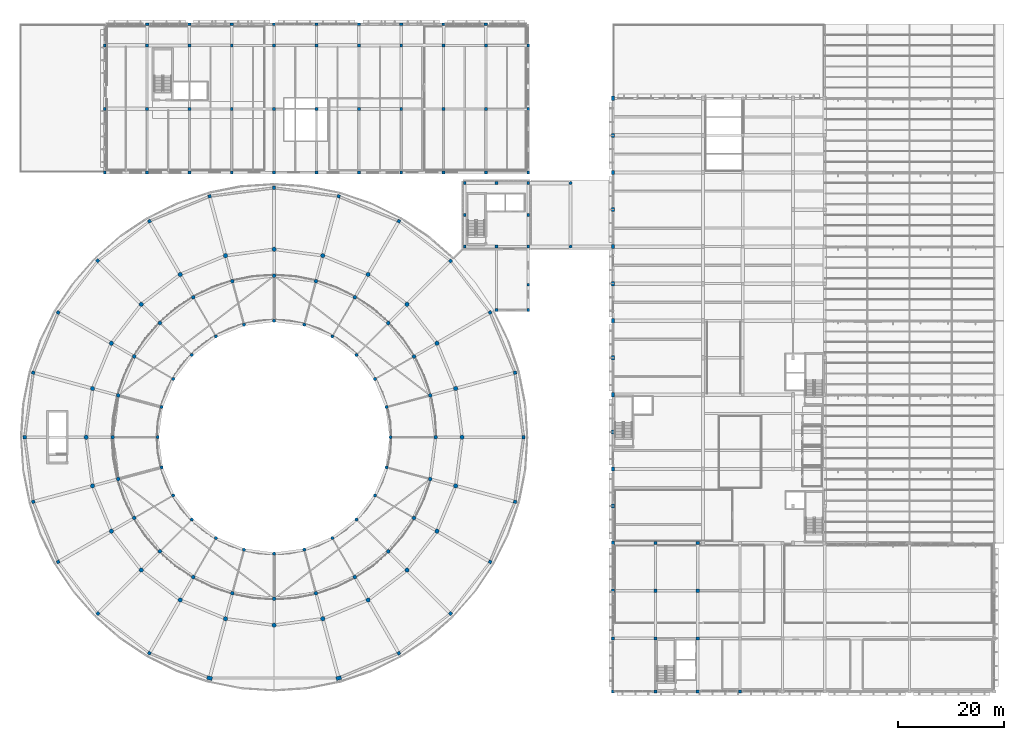
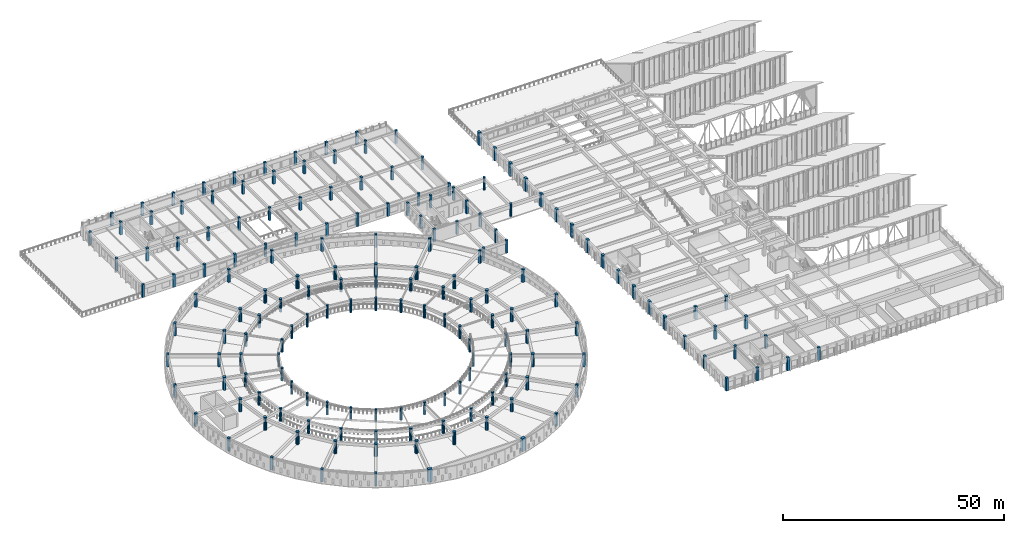
# One storey, part 1 of 155: 175 columns.
"""IFC4 building model written with IfcOpenShell, lengths in metres."""

from ifc_helpers import new_model, si_unit, direction, frame, origin, origin_2d, place, context, subcontext, project, spatial, rectangle, circle, extrude, material, material_profile, profile_set, type_object, element, save


model = new_model("IFC4")

# Units and contexts
model_context = context("Model", 3, precision=1e-05, world=origin(), true_north=direction((0.0, 1.0)))
body_context = subcontext(model_context, "Body", "Model", "MODEL_VIEW")
ifc_project = project(units=[si_unit("LENGTHUNIT", "METRE"), si_unit("AREAUNIT", "SQUARE_METRE"), si_unit("VOLUMEUNIT", "CUBIC_METRE"), si_unit("PLANEANGLEUNIT", "RADIAN"), si_unit("MASSUNIT", "GRAM", prefix="KILO")], contexts=[model_context])

# Site, building, storey
site_placement = place(None, origin())
site = spatial("IfcSite", under=ifc_project, at=site_placement, CompositionType="ELEMENT")
building_placement = place(site_placement, origin())
building = spatial("IfcBuilding", under=site, at=building_placement, Name="Larkveld Mobility Hub", CompositionType="ELEMENT")
storey_placement = place(building_placement, frame((0.0, 0.0, 8.39990234375)))
storey = spatial("IfcBuildingStorey", under=building, at=storey_placement, Name="L02", CompositionType="ELEMENT", Elevation=8.39990234375)

# Columns
ifc_material_1 = material(Name="Precast concrete C50/60", Category="concrete")
ifc_material_profile_1 = material_profile(ifc_material_1, rectangle(XDim=0.60009765625, YDim=0.800048828125, at=origin_2d()), Name="RC COL 600x800")
ifc_profile_set_1 = profile_set([ifc_material_profile_1], Name="Precast concrete C50/60")
column_type_1 = type_object("IfcColumnType", Name="CL-PC6080", PredefinedType="COLUMN", material=ifc_profile_set_1)
for number, where, z_axis, x_axis, name in (
    (1, (112.0, 28.0, 0.0), (0.0, 0.0, 1.0), (1.0, 0.0, 0.0), "Column EV-X112-Y28 (L02)"),
    (2, (112.0, 35.0, 0.0), (0.0, 0.0, 1.0), (1.0, 0.0, 0.0), "Column EV-X112-Y35 (L02)"),
    (3, (112.0, 42.0, 0.0), (0.0, 0.0, 1.0), (1.0, 0.0, 0.0), "Column EV-X112-Y42 (L02)"),
    (4, (112.0, 49.0, 0.0), (0.0, 0.0, 1.0), (1.0, 0.0, 0.0), "Column EV-X112-Y49 (L02)"),
    (5, (112.0, 56.0, 0.0), (0.0, 0.0, 1.0), (1.0, 0.0, 0.0), "Column EV-X112-Y56 (L02)"),
    (6, (112.0, 63.0, 0.0), (0.0, 0.0, 1.0), (1.0, 0.0, 0.0), "Column EV-X112-Y63 (L02)"),
    (7, (112.0, 70.0, 0.0), (0.0, 0.0, 1.0), (1.0, 0.0, 0.0), "Column EV-X112-Y70 (L02)"),
    (8, (112.0, 77.0, 0.0), (0.0, 0.0, 1.0), (1.0, 0.0, 0.0), "Column EV-X112-Y77 (L02)"),
    (9, (112.0, 84.0, 0.0), (0.0, 0.0, 1.0), (1.0, 0.0, 0.0), "Column EV-X112-Y84 (L02)"),
    (10, (112.0, 91.0, 0.0), (0.0, 0.0, 1.0), (1.0, 0.0, 0.0), "Column EV-X112-Y91 (L02)"),
    (11, (112.0, 98.0, 0.0), (0.0, 0.0, 1.0), (1.0, 0.0, 0.0), "Column EV-X112-Y98 (L02)"),
    (12, (112.0, 105.0, 0.0), (0.0, 0.0, 1.0), (1.0, 0.0, 0.0), "Column EV-X112-Y105 (L02)"),
    (13, (112.0, 112.0, 0.0), (0.0, 0.0, 1.0), (1.0, 0.0, 0.0), "Column EV-X112-Y112 (L02)"),
):
    element("IfcColumn", number, at=place(storey_placement, frame(where, z_axis=z_axis, x_axis=x_axis)), inside=storey, type_object=column_type_1, Name=name, PredefinedType="COLUMN", context=body_context, shape_type="SweptSolid", body=[
        extrude(rectangle(XDim=0.60009765625, YDim=0.800048828125, at=origin_2d()), origin(), (0.0, 0.0, 1.0), 3.60009765625),
    ])
ifc_material_profile_2 = material_profile(ifc_material_1, rectangle(XDim=0.449951171875, YDim=0.64990234375, at=origin_2d()), Name="PC PIL 450x650")
ifc_profile_set_2 = profile_set([ifc_material_profile_2], Name="Precast concrete C50/60")
column_type_2 = type_object("IfcColumnType", Name="CL-PIL4565", PredefinedType="PILASTER", material=ifc_profile_set_2)
for number, where, z_axis, x_axis, name in (
    (14, (24.0, 126.0, 0.0), (0.0, 0.0, 1.0), (0.0, 1.0, 0.0), "Column V5-PIL-X24 (L02)"),
    (15, (32.0, 126.0, 0.0), (0.0, 0.0, 1.0), (0.0, 1.0, 0.0), "Column V5-PIL-X32 (L02)"),
    (16, (40.0, 126.0, 0.0), (0.0, 0.0, 1.0), (0.0, 1.0, 0.0), "Column V5-PIL-X40 (L02)"),
    (17, (48.0, 126.0, 0.0), (0.0, 0.0, 1.0), (0.0, 1.0, 0.0), "Column V5-PIL-X48 (L02)"),
    (18, (56.0, 126.0, 0.0), (0.0, 0.0, 1.0), (0.0, 1.0, 0.0), "Column V5-PIL-X56 (L02)"),
    (19, (64.0, 126.0, 0.0), (0.0, 0.0, 1.0), (0.0, 1.0, 0.0), "Column V5-PIL-X64 (L02)"),
    (20, (72.0, 126.0, 0.0), (0.0, 0.0, 1.0), (0.0, 1.0, 0.0), "Column V5-PIL-X72 (L02)"),
    (21, (80.0, 126.0, 0.0), (0.0, 0.0, 1.0), (0.0, 1.0, 0.0), "Column V5-PIL-X80 (L02)"),
    (22, (88.0, 126.0, 0.0), (0.0, 0.0, 1.0), (0.0, 1.0, 0.0), "Column V5-PIL-X88 (L02)"),
):
    element("IfcColumn", number, at=place(storey_placement, frame(where, z_axis=z_axis, x_axis=x_axis)), inside=storey, type_object=column_type_2, Name=name, PredefinedType="PILASTER", context=body_context, shape_type="SweptSolid", body=[
        extrude(rectangle(XDim=0.449951171875, YDim=0.64990234375, at=origin_2d()), origin(), (0.0, 0.0, 1.0), 3.60009765625),
    ])
ifc_material_profile_3 = material_profile(ifc_material_1, rectangle(XDim=0.699951171875, YDim=1.0, at=origin_2d()), Name="PC PIL 700x1000")
ifc_profile_set_3 = profile_set([ifc_material_profile_3], Name="Precast concrete C50/60")
column_type_3 = type_object("IfcColumnType", Name="CL-PIL7010", PredefinedType="PILASTER", material=ifc_profile_set_3)
for number, where, z_axis, x_axis, name in (
    (23, (35.81005859375, 2.5048828125, 0.0), (0.0, 0.0, 1.0), (0.258819045103, 0.965925826289, 0.0), "Column DRM-R47-K34 (L02)"),
    (24, (60.18994140625, 2.5048828125, 0.0), (0.0, 0.0, 1.0), (-0.258819045103, 0.965925826289, 0.0), "Column DRM-R47-K38 (L02)"),
):
    element("IfcColumn", number, at=place(storey_placement, frame(where, z_axis=z_axis, x_axis=x_axis)), inside=storey, type_object=column_type_3, Name=name, PredefinedType="PILASTER", context=body_context, shape_type="SweptSolid", body=[
        extrude(rectangle(XDim=0.699951171875, YDim=1.0, at=origin_2d()), origin(), (0.0, 0.0, 1.0), 3.60009765625),
    ])
ifc_material_2 = material(Name="Concrete C40/50", Category="concrete")
ifc_material_profile_4 = material_profile(ifc_material_2, rectangle(XDim=0.550048828125, YDim=0.550048828125, at=origin_2d()), Name="RC COL 550x550")
ifc_profile_set_4 = profile_set([ifc_material_profile_4], Name="Concrete C40/50")
column_type_4 = type_object("IfcColumnType", Name="CL-RC550", PredefinedType="COLUMN", material=ifc_profile_set_4)
for number, where, z_axis, x_axis, name in (
    (25, (84.0, 84.0, 0.0), (0.0, 0.0, 1.0), (1.0, 0.0, 0.0), "Column PAV-X84-Y84 (L02)"),
    (26, (84.0, 90.0, 0.0), (0.0, 0.0, 1.0), (1.0, 0.0, 0.0), "Column PAV-X84-Y90 (L02)"),
    (27, (84.0, 96.0, 0.0), (0.0, 0.0, 1.0), (1.0, 0.0, 0.0), "Column PAV-X84-Y96 (L02)"),
    (28, (90.0, 84.0, 0.0), (0.0, 0.0, 1.0), (1.0, 0.0, 0.0), "Column PAV-X90-Y84 (L02)"),
    (29, (90.0, 96.0, 0.0), (0.0, 0.0, 1.0), (1.0, 0.0, 0.0), "Column PAV-X90-Y96 (L02)"),
    (30, (96.0, 84.0, 0.0), (0.0, 0.0, 1.0), (1.0, 0.0, 0.0), "Column PAV-X96-Y84 (L02)"),
    (31, (96.0, 90.0, 0.0), (0.0, 0.0, 1.0), (1.0, 0.0, 0.0), "Column PAV-X96-Y90 (L02)"),
    (32, (96.0, 96.0, 0.0), (0.0, 0.0, 1.0), (1.0, 0.0, 0.0), "Column PAV-X96-Y96 (L02)"),
    (33, (16.0, 98.0, 0.0), (0.0, 0.0, 1.0), (1.0, 0.0, 0.0), "Column V5-X16-Y98 (L02)"),
    (34, (16.0, 110.0, 0.0), (0.0, 0.0, 1.0), (1.0, 0.0, 0.0), "Column V5-X16-Y110 (L02)"),
    (35, (16.0, 122.0, 0.0), (0.0, 0.0, 1.0), (1.0, 0.0, 0.0), "Column V5-X16-Y122 (L02)"),
    (36, (24.0, 98.0, 0.0), (0.0, 0.0, 1.0), (1.0, 0.0, 0.0), "Column V5-X24-Y98 (L02)"),
    (37, (24.0, 110.0, 0.0), (0.0, 0.0, 1.0), (1.0, 0.0, 0.0), "Column V5-X24-Y110 (L02)"),
    (38, (24.0, 122.0, 0.0), (0.0, 0.0, 1.0), (1.0, 0.0, 0.0), "Column V5-X24-Y122 (L02)"),
    (39, (32.0, 98.0, 0.0), (0.0, 0.0, 1.0), (1.0, 0.0, 0.0), "Column V5-X32-Y98 (L02)"),
    (40, (32.0, 110.0, 0.0), (0.0, 0.0, 1.0), (1.0, 0.0, 0.0), "Column V5-X32-Y110 (L02)"),
    (41, (32.0, 122.0, 0.0), (0.0, 0.0, 1.0), (1.0, 0.0, 0.0), "Column V5-X32-Y122 (L02)"),
    (42, (40.0, 98.0, 0.0), (0.0, 0.0, 1.0), (1.0, 0.0, 0.0), "Column V5-X40-Y98 (L02)"),
    (43, (40.0, 110.0, 0.0), (0.0, 0.0, 1.0), (1.0, 0.0, 0.0), "Column V5-X40-Y110 (L02)"),
    (44, (40.0, 122.0, 0.0), (0.0, 0.0, 1.0), (1.0, 0.0, 0.0), "Column V5-X40-Y122 (L02)"),
    (45, (48.0, 98.0, 0.0), (0.0, 0.0, 1.0), (1.0, 0.0, 0.0), "Column V5-X48-Y98 (L02)"),
    (46, (48.0, 110.0, 0.0), (0.0, 0.0, 1.0), (1.0, 0.0, 0.0), "Column V5-X48-Y110 (L02)"),
    (47, (48.0, 122.0, 0.0), (0.0, 0.0, 1.0), (1.0, 0.0, 0.0), "Column V5-X48-Y122 (L02)"),
    (48, (56.0, 98.0, 0.0), (0.0, 0.0, 1.0), (1.0, 0.0, 0.0), "Column V5-X56-Y98 (L02)"),
    (49, (56.0, 110.0, 0.0), (0.0, 0.0, 1.0), (1.0, 0.0, 0.0), "Column V5-X56-Y110 (L02)"),
    (50, (56.0, 122.0, 0.0), (0.0, 0.0, 1.0), (1.0, 0.0, 0.0), "Column V5-X56-Y122 (L02)"),
    (51, (64.0, 98.0, 0.0), (0.0, 0.0, 1.0), (1.0, 0.0, 0.0), "Column V5-X64-Y98 (L02)"),
    (52, (64.0, 110.0, 0.0), (0.0, 0.0, 1.0), (1.0, 0.0, 0.0), "Column V5-X64-Y110 (L02)"),
    (53, (64.0, 122.0, 0.0), (0.0, 0.0, 1.0), (1.0, 0.0, 0.0), "Column V5-X64-Y122 (L02)"),
    (54, (72.0, 98.0, 0.0), (0.0, 0.0, 1.0), (1.0, 0.0, 0.0), "Column V5-X72-Y98 (L02)"),
    (55, (72.0, 110.0, 0.0), (0.0, 0.0, 1.0), (1.0, 0.0, 0.0), "Column V5-X72-Y110 (L02)"),
    (56, (72.0, 122.0, 0.0), (0.0, 0.0, 1.0), (1.0, 0.0, 0.0), "Column V5-X72-Y122 (L02)"),
    (57, (80.0, 98.0, 0.0), (0.0, 0.0, 1.0), (1.0, 0.0, 0.0), "Column V5-X80-Y98 (L02)"),
    (58, (80.0, 110.0, 0.0), (0.0, 0.0, 1.0), (1.0, 0.0, 0.0), "Column V5-X80-Y110 (L02)"),
    (59, (80.0, 122.0, 0.0), (0.0, 0.0, 1.0), (1.0, 0.0, 0.0), "Column V5-X80-Y122 (L02)"),
    (60, (88.0, 98.0, 0.0), (0.0, 0.0, 1.0), (1.0, 0.0, 0.0), "Column V5-X88-Y98 (L02)"),
    (61, (88.0, 110.0, 0.0), (0.0, 0.0, 1.0), (1.0, 0.0, 0.0), "Column V5-X88-Y110 (L02)"),
    (62, (88.0, 122.0, 0.0), (0.0, 0.0, 1.0), (1.0, 0.0, 0.0), "Column V5-X88-Y122 (L02)"),
    (63, (96.0, 98.0, 0.0), (0.0, 0.0, 1.0), (1.0, 0.0, 0.0), "Column V5-X96-Y98 (L02)"),
    (64, (96.0, 110.0, 0.0), (0.0, 0.0, 1.0), (1.0, 0.0, 0.0), "Column V5-X96-Y110 (L02)"),
    (65, (96.0, 122.0, 0.0), (0.0, 0.0, 1.0), (1.0, 0.0, 0.0), "Column V5-X96-Y122 (L02)"),
    (66, (90.0, 72.0, 0.0), (0.0, 0.0, 1.0), (1.0, 0.0, 0.0), "Column DLNK-X90-Y72 (L02)"),
    (67, (96.0, 72.0, 0.0), (0.0, 0.0, 1.0), (1.0, 0.0, 0.0), "Column DLNK-X96-Y72 (L02)"),
    (68, (96.0, 76.800048828125, 0.0), (0.0, 0.0, 1.0), (1.0, 0.0, 0.0), "Column DLNK-X96-Y77 (L02)"),
):
    element("IfcColumn", number, at=place(storey_placement, frame(where, z_axis=z_axis, x_axis=x_axis)), inside=storey, type_object=column_type_4, Name=name, PredefinedType="COLUMN", context=body_context, shape_type="SweptSolid", body=[
        extrude(rectangle(XDim=0.550048828125, YDim=0.550048828125, at=origin_2d()), origin(), (0.0, 0.0, 1.0), 3.60009765625),
    ])
ifc_material_profile_5 = material_profile(ifc_material_2, rectangle(XDim=0.60009765625, YDim=0.60009765625, at=origin_2d()), Name="RC COL 600x600")
ifc_profile_set_5 = profile_set([ifc_material_profile_5], Name="Concrete C40/50")
column_type_5 = type_object("IfcColumnType", Name="CL-RC600", PredefinedType="COLUMN", material=ifc_profile_set_5)
for number, where, z_axis, x_axis, name in (
    (69, (95.10009765625, 48.0, 0.0), (0.0, 0.0, 1.0), (1.0, 0.0, 0.0), "Column DRM-R47-K00 (L02)"),
    (70, (93.4951171875, 60.18994140625, 0.0), (0.0, 0.0, 1.0), (0.965925826289, 0.258819045103, 0.0), "Column DRM-R47-K02 (L02)"),
    (71, (88.7900390625, 71.550048828125, 0.0), (0.0, 0.0, 1.0), (0.866025403784, 0.5, 0.0), "Column DRM-R47-K04 (L02)"),
    (72, (81.304931640625, 81.304931640625, 0.0), (0.0, 0.0, 1.0), (0.707106781187, 0.707106781187, 0.0), "Column DRM-R47-K06 (L02)"),
    (73, (71.550048828125, 88.7900390625, 0.0), (0.0, 0.0, 1.0), (0.5, 0.866025403784, 0.0), "Column DRM-R47-K08 (L02)"),
    (74, (60.18994140625, 93.4951171875, 0.0), (0.0, 0.0, 1.0), (0.258819045103, 0.965925826289, 0.0), "Column DRM-R47-K10 (L02)"),
    (75, (48.0, 95.10009765625, 0.0), (0.0, 0.0, 1.0), (0.0, 1.0, 0.0), "Column DRM-R47-K12 (L02)"),
    (76, (35.81005859375, 93.4951171875, 0.0), (0.0, 0.0, 1.0), (-0.258819045103, 0.965925826289, 0.0), "Column DRM-R47-K14 (L02)"),
    (77, (24.449951171875, 88.7900390625, 0.0), (0.0, 0.0, 1.0), (-0.5, 0.866025403784, 0.0), "Column DRM-R47-K16 (L02)"),
    (78, (14.695068359375, 81.304931640625, 0.0), (0.0, 0.0, 1.0), (-0.707106781187, 0.707106781187, 0.0), "Column DRM-R47-K18 (L02)"),
    (79, (7.2099609375, 71.550048828125, 0.0), (0.0, 0.0, 1.0), (-0.866025403784, 0.5, 0.0), "Column DRM-R47-K20 (L02)"),
    (80, (2.5048828125, 60.18994140625, 0.0), (0.0, 0.0, 1.0), (-0.965925826289, 0.258819045103, 0.0), "Column DRM-R47-K22 (L02)"),
    (81, (0.89990234375, 48.0, 0.0), (0.0, 0.0, 1.0), (1.0, 0.0, 0.0), "Column DRM-R47-K24 (L02)"),
    (82, (2.5048828125, 35.81005859375, 0.0), (0.0, 0.0, 1.0), (0.965925826289, 0.258819045103, 0.0), "Column DRM-R47-K26 (L02)"),
    (83, (7.2099609375, 24.449951171875, 0.0), (0.0, 0.0, 1.0), (0.866025403784, 0.5, 0.0), "Column DRM-R47-K28 (L02)"),
    (84, (14.695068359375, 14.695068359375, 0.0), (0.0, 0.0, 1.0), (0.707106781187, 0.707106781187, 0.0), "Column DRM-R47-K30 (L02)"),
    (85, (24.449951171875, 7.2099609375, 0.0), (0.0, 0.0, 1.0), (0.5, 0.866025403784, 0.0), "Column DRM-R47-K32 (L02)"),
    (86, (71.550048828125, 7.2099609375, 0.0), (0.0, 0.0, 1.0), (-0.5, 0.866025403784, 0.0), "Column DRM-R47-K40 (L02)"),
    (87, (81.304931640625, 14.695068359375, 0.0), (0.0, 0.0, 1.0), (-0.707106781187, 0.707106781187, 0.0), "Column DRM-R47-K42 (L02)"),
    (88, (88.7900390625, 24.449951171875, 0.0), (0.0, 0.0, 1.0), (-0.866025403784, 0.5, 0.0), "Column DRM-R47-K44 (L02)"),
    (89, (93.4951171875, 35.81005859375, 0.0), (0.0, 0.0, 1.0), (-0.965925826289, 0.258819045103, 0.0), "Column DRM-R47-K46 (L02)"),
    (90, (112.0, 0.0, 0.0), (0.0, 0.0, 1.0), (1.0, 0.0, 0.0), "Column V6-X112-Y0 (L02)"),
    (91, (112.0, 10.0, 0.0), (0.0, 0.0, 1.0), (1.0, 0.0, 0.0), "Column V6-X112-Y10 (L02)"),
    (92, (112.0, 19.0, 0.0), (0.0, 0.0, 1.0), (1.0, 0.0, 0.0), "Column V6-X112-Y19 (L02)"),
    (93, (120.0, 0.0, 0.0), (0.0, 0.0, 1.0), (1.0, 0.0, 0.0), "Column V6-X120-Y0 (L02)"),
    (94, (120.0, 10.0, 0.0), (0.0, 0.0, 1.0), (1.0, 0.0, 0.0), "Column V6-X120-Y10 (L02)"),
    (95, (120.0, 19.0, 0.0), (0.0, 0.0, 1.0), (1.0, 0.0, 0.0), "Column V6-X120-Y19 (L02)"),
    (96, (120.0, 28.0, 0.0), (0.0, 0.0, 1.0), (1.0, 0.0, 0.0), "Column V6-X120-Y28 (L02)"),
    (97, (128.0, 0.0, 0.0), (0.0, 0.0, 1.0), (1.0, 0.0, 0.0), "Column V6-X128-Y0 (L02)"),
    (98, (128.0, 10.0, 0.0), (0.0, 0.0, 1.0), (1.0, 0.0, 0.0), "Column V6-X128-Y10 (L02)"),
    (99, (128.0, 19.0, 0.0), (0.0, 0.0, 1.0), (1.0, 0.0, 0.0), "Column V6-X128-Y19 (L02)"),
    (100, (128.0, 28.0, 0.0), (0.0, 0.0, 1.0), (1.0, 0.0, 0.0), "Column V6-X128-Y28 (L02)"),
    (101, (136.0, 0.0, 0.0), (0.0, 0.0, 1.0), (1.0, 0.0, 0.0), "Column V6-X136-Y0 (L02)"),
):
    element("IfcColumn", number, at=place(storey_placement, frame(where, z_axis=z_axis, x_axis=x_axis)), inside=storey, type_object=column_type_5, Name=name, PredefinedType="COLUMN", context=body_context, shape_type="SweptSolid", body=[
        extrude(rectangle(XDim=0.60009765625, YDim=0.60009765625, at=origin_2d()), origin(), (0.0, 0.0, 1.0), 3.60009765625),
    ])
ifc_material_profile_6 = material_profile(ifc_material_2, circle(Radius=0.300048828125, at=origin_2d()), Name="RC COL D600")
ifc_profile_set_6 = profile_set([ifc_material_profile_6], Name="Concrete C40/50")
column_type_6 = type_object("IfcColumnType", Name="CL-RCD600", PredefinedType="COLUMN", material=ifc_profile_set_6)
for number, where, z_axis, x_axis, name in (
    (102, (70.0, 48.0, 0.0), (0.0, 0.0, 1.0), (1.0, 0.0, 0.0), "Column DRM-R22-K00 (L02)"),
    (103, (69.25, 53.694091796875, 0.0), (0.0, 0.0, 1.0), (1.0, 0.0, 0.0), "Column DRM-R22-K02 (L02)"),
    (104, (67.052978515625, 59.0, 0.0), (0.0, 0.0, 1.0), (1.0, 0.0, 0.0), "Column DRM-R22-K04 (L02)"),
    (105, (63.555908203125, 63.555908203125, 0.0), (0.0, 0.0, 1.0), (1.0, 0.0, 0.0), "Column DRM-R22-K06 (L02)"),
    (106, (59.0, 67.052978515625, 0.0), (0.0, 0.0, 1.0), (1.0, 0.0, 0.0), "Column DRM-R22-K08 (L02)"),
    (107, (53.694091796875, 69.25, 0.0), (0.0, 0.0, 1.0), (1.0, 0.0, 0.0), "Column DRM-R22-K10 (L02)"),
    (108, (48.0, 70.0, 0.0), (0.0, 0.0, 1.0), (1.0, 0.0, 0.0), "Column DRM-R22-K12 (L02)"),
    (109, (42.305908203125, 69.25, 0.0), (0.0, 0.0, 1.0), (1.0, 0.0, 0.0), "Column DRM-R22-K14 (L02)"),
    (110, (37.0, 67.052978515625, 0.0), (0.0, 0.0, 1.0), (1.0, 0.0, 0.0), "Column DRM-R22-K16 (L02)"),
    (111, (32.444091796875, 63.555908203125, 0.0), (0.0, 0.0, 1.0), (1.0, 0.0, 0.0), "Column DRM-R22-K18 (L02)"),
    (112, (28.947021484375, 59.0, 0.0), (0.0, 0.0, 1.0), (1.0, 0.0, 0.0), "Column DRM-R22-K20 (L02)"),
    (113, (26.75, 53.694091796875, 0.0), (0.0, 0.0, 1.0), (1.0, 0.0, 0.0), "Column DRM-R22-K22 (L02)"),
    (114, (26.0, 48.0, 0.0), (0.0, 0.0, 1.0), (1.0, 0.0, 0.0), "Column DRM-R22-K24 (L02)"),
    (115, (26.75, 42.305908203125, 0.0), (0.0, 0.0, 1.0), (1.0, 0.0, 0.0), "Column DRM-R22-K26 (L02)"),
    (116, (28.947021484375, 37.0, 0.0), (0.0, 0.0, 1.0), (1.0, 0.0, 0.0), "Column DRM-R22-K28 (L02)"),
    (117, (32.444091796875, 32.444091796875, 0.0), (0.0, 0.0, 1.0), (1.0, 0.0, 0.0), "Column DRM-R22-K30 (L02)"),
    (118, (37.0, 28.947021484375, 0.0), (0.0, 0.0, 1.0), (1.0, 0.0, 0.0), "Column DRM-R22-K32 (L02)"),
    (119, (42.305908203125, 26.75, 0.0), (0.0, 0.0, 1.0), (1.0, 0.0, 0.0), "Column DRM-R22-K34 (L02)"),
    (120, (48.0, 26.0, 0.0), (0.0, 0.0, 1.0), (1.0, 0.0, 0.0), "Column DRM-R22-K36 (L02)"),
    (121, (53.694091796875, 26.75, 0.0), (0.0, 0.0, 1.0), (1.0, 0.0, 0.0), "Column DRM-R22-K38 (L02)"),
    (122, (59.0, 28.947021484375, 0.0), (0.0, 0.0, 1.0), (1.0, 0.0, 0.0), "Column DRM-R22-K40 (L02)"),
    (123, (63.555908203125, 32.444091796875, 0.0), (0.0, 0.0, 1.0), (1.0, 0.0, 0.0), "Column DRM-R22-K42 (L02)"),
    (124, (67.052978515625, 37.0, 0.0), (0.0, 0.0, 1.0), (1.0, 0.0, 0.0), "Column DRM-R22-K44 (L02)"),
    (125, (69.25, 42.305908203125, 0.0), (0.0, 0.0, 1.0), (1.0, 0.0, 0.0), "Column DRM-R22-K46 (L02)"),
    (126, (104.0, 84.0, 0.0), (0.0, 0.0, 1.0), (1.0, 0.0, 0.0), "Column BRG-X104-Y84 (L02)"),
    (127, (104.0, 96.0, 0.0), (0.0, 0.0, 1.0), (1.0, 0.0, 0.0), "Column BRG-X104-Y96 (L02)"),
):
    element("IfcColumn", number, at=place(storey_placement, frame(where, z_axis=z_axis, x_axis=x_axis)), inside=storey, type_object=column_type_6, Name=name, PredefinedType="COLUMN", context=body_context, shape_type="SweptSolid", body=[
        extrude(circle(Radius=0.300048828125, at=origin_2d()), origin(), (0.0, 0.0, 1.0), 3.60009765625),
    ])
ifc_material_profile_7 = material_profile(ifc_material_2, circle(Radius=0.35009765625, at=origin_2d()), Name="RC COL D700")
ifc_profile_set_7 = profile_set([ifc_material_profile_7], Name="Concrete C40/50")
column_type_7 = type_object("IfcColumnType", Name="CL-RCD700", PredefinedType="COLUMN", material=ifc_profile_set_7)
for number, where, z_axis, x_axis, name in (
    (128, (78.5, 48.0, 0.0), (0.0, 0.0, 1.0), (1.0, 0.0, 0.0), "Column DRM-R30-K00 (L02)"),
    (129, (77.4609375, 55.89404296875, 0.0), (0.0, 0.0, 1.0), (1.0, 0.0, 0.0), "Column DRM-R30-K02 (L02)"),
    (130, (74.4140625, 63.25, 0.0), (0.0, 0.0, 1.0), (1.0, 0.0, 0.0), "Column DRM-R30-K04 (L02)"),
    (131, (69.56689453125, 69.56689453125, 0.0), (0.0, 0.0, 1.0), (1.0, 0.0, 0.0), "Column DRM-R30-K06 (L02)"),
    (132, (63.25, 74.4140625, 0.0), (0.0, 0.0, 1.0), (1.0, 0.0, 0.0), "Column DRM-R30-K08 (L02)"),
    (133, (55.89404296875, 77.4609375, 0.0), (0.0, 0.0, 1.0), (1.0, 0.0, 0.0), "Column DRM-R30-K10 (L02)"),
    (134, (48.0, 78.5, 0.0), (0.0, 0.0, 1.0), (1.0, 0.0, 0.0), "Column DRM-R30-K12 (L02)"),
    (135, (40.10595703125, 77.4609375, 0.0), (0.0, 0.0, 1.0), (1.0, 0.0, 0.0), "Column DRM-R30-K14 (L02)"),
    (136, (32.75, 74.4140625, 0.0), (0.0, 0.0, 1.0), (1.0, 0.0, 0.0), "Column DRM-R30-K16 (L02)"),
    (137, (26.43310546875, 69.56689453125, 0.0), (0.0, 0.0, 1.0), (1.0, 0.0, 0.0), "Column DRM-R30-K18 (L02)"),
    (138, (21.5859375, 63.25, 0.0), (0.0, 0.0, 1.0), (1.0, 0.0, 0.0), "Column DRM-R30-K20 (L02)"),
    (139, (18.5390625, 55.89404296875, 0.0), (0.0, 0.0, 1.0), (1.0, 0.0, 0.0), "Column DRM-R30-K22 (L02)"),
    (140, (17.5, 48.0, 0.0), (0.0, 0.0, 1.0), (1.0, 0.0, 0.0), "Column DRM-R30-K24 (L02)"),
    (141, (18.5390625, 40.10595703125, 0.0), (0.0, 0.0, 1.0), (1.0, 0.0, 0.0), "Column DRM-R30-K26 (L02)"),
    (142, (21.5859375, 32.75, 0.0), (0.0, 0.0, 1.0), (1.0, 0.0, 0.0), "Column DRM-R30-K28 (L02)"),
    (143, (26.43310546875, 26.43310546875, 0.0), (0.0, 0.0, 1.0), (1.0, 0.0, 0.0), "Column DRM-R30-K30 (L02)"),
    (144, (32.75, 21.5859375, 0.0), (0.0, 0.0, 1.0), (1.0, 0.0, 0.0), "Column DRM-R30-K32 (L02)"),
    (145, (40.10595703125, 18.5390625, 0.0), (0.0, 0.0, 1.0), (1.0, 0.0, 0.0), "Column DRM-R30-K34 (L02)"),
    (146, (48.0, 17.5, 0.0), (0.0, 0.0, 1.0), (1.0, 0.0, 0.0), "Column DRM-R30-K36 (L02)"),
    (147, (55.89404296875, 18.5390625, 0.0), (0.0, 0.0, 1.0), (1.0, 0.0, 0.0), "Column DRM-R30-K38 (L02)"),
    (148, (63.25, 21.5859375, 0.0), (0.0, 0.0, 1.0), (1.0, 0.0, 0.0), "Column DRM-R30-K40 (L02)"),
    (149, (69.56689453125, 26.43310546875, 0.0), (0.0, 0.0, 1.0), (1.0, 0.0, 0.0), "Column DRM-R30-K42 (L02)"),
    (150, (74.4140625, 32.75, 0.0), (0.0, 0.0, 1.0), (1.0, 0.0, 0.0), "Column DRM-R30-K44 (L02)"),
    (151, (77.4609375, 40.10595703125, 0.0), (0.0, 0.0, 1.0), (1.0, 0.0, 0.0), "Column DRM-R30-K46 (L02)"),
):
    element("IfcColumn", number, at=place(storey_placement, frame(where, z_axis=z_axis, x_axis=x_axis)), inside=storey, type_object=column_type_7, Name=name, PredefinedType="COLUMN", context=body_context, shape_type="SweptSolid", body=[
        extrude(circle(Radius=0.35009765625, at=origin_2d()), origin(), (0.0, 0.0, 1.0), 3.60009765625),
    ])
ifc_material_profile_8 = material_profile(ifc_material_2, circle(Radius=0.39990234375, at=origin_2d()), Name="RC COL D800")
ifc_profile_set_8 = profile_set([ifc_material_profile_8], Name="Concrete C40/50")
column_type_8 = type_object("IfcColumnType", Name="CL-RCD800", PredefinedType="COLUMN", material=ifc_profile_set_8)
for number, where, z_axis, x_axis, name in (
    (152, (83.5, 48.0, 0.0), (0.0, 0.0, 1.0), (1.0, 0.0, 0.0), "Column DRM-R35-K00 (L02)"),
    (153, (82.2900390625, 57.18798828125, 0.0), (0.0, 0.0, 1.0), (1.0, 0.0, 0.0), "Column DRM-R35-K02 (L02)"),
    (154, (78.743896484375, 65.75, 0.0), (0.0, 0.0, 1.0), (1.0, 0.0, 0.0), "Column DRM-R35-K04 (L02)"),
    (155, (73.10205078125, 73.10205078125, 0.0), (0.0, 0.0, 1.0), (1.0, 0.0, 0.0), "Column DRM-R35-K06 (L02)"),
    (156, (65.75, 78.743896484375, 0.0), (0.0, 0.0, 1.0), (1.0, 0.0, 0.0), "Column DRM-R35-K08 (L02)"),
    (157, (57.18798828125, 82.2900390625, 0.0), (0.0, 0.0, 1.0), (1.0, 0.0, 0.0), "Column DRM-R35-K10 (L02)"),
    (158, (48.0, 83.5, 0.0), (0.0, 0.0, 1.0), (1.0, 0.0, 0.0), "Column DRM-R35-K12 (L02)"),
    (159, (38.81201171875, 82.2900390625, 0.0), (0.0, 0.0, 1.0), (1.0, 0.0, 0.0), "Column DRM-R35-K14 (L02)"),
    (160, (30.25, 78.743896484375, 0.0), (0.0, 0.0, 1.0), (1.0, 0.0, 0.0), "Column DRM-R35-K16 (L02)"),
    (161, (22.89794921875, 73.10205078125, 0.0), (0.0, 0.0, 1.0), (1.0, 0.0, 0.0), "Column DRM-R35-K18 (L02)"),
    (162, (17.256103515625, 65.75, 0.0), (0.0, 0.0, 1.0), (1.0, 0.0, 0.0), "Column DRM-R35-K20 (L02)"),
    (163, (13.7099609375, 57.18798828125, 0.0), (0.0, 0.0, 1.0), (1.0, 0.0, 0.0), "Column DRM-R35-K22 (L02)"),
    (164, (12.5, 48.0, 0.0), (0.0, 0.0, 1.0), (1.0, 0.0, 0.0), "Column DRM-R35-K24 (L02)"),
    (165, (13.7099609375, 38.81201171875, 0.0), (0.0, 0.0, 1.0), (1.0, 0.0, 0.0), "Column DRM-R35-K26 (L02)"),
    (166, (17.256103515625, 30.25, 0.0), (0.0, 0.0, 1.0), (1.0, 0.0, 0.0), "Column DRM-R35-K28 (L02)"),
    (167, (22.89794921875, 22.89794921875, 0.0), (0.0, 0.0, 1.0), (1.0, 0.0, 0.0), "Column DRM-R35-K30 (L02)"),
    (168, (30.25, 17.256103515625, 0.0), (0.0, 0.0, 1.0), (1.0, 0.0, 0.0), "Column DRM-R35-K32 (L02)"),
    (169, (38.81201171875, 13.7099609375, 0.0), (0.0, 0.0, 1.0), (1.0, 0.0, 0.0), "Column DRM-R35-K34 (L02)"),
    (170, (48.0, 12.5, 0.0), (0.0, 0.0, 1.0), (1.0, 0.0, 0.0), "Column DRM-R35-K36 (L02)"),
    (171, (57.18798828125, 13.7099609375, 0.0), (0.0, 0.0, 1.0), (1.0, 0.0, 0.0), "Column DRM-R35-K38 (L02)"),
    (172, (65.75, 17.256103515625, 0.0), (0.0, 0.0, 1.0), (1.0, 0.0, 0.0), "Column DRM-R35-K40 (L02)"),
    (173, (73.10205078125, 22.89794921875, 0.0), (0.0, 0.0, 1.0), (1.0, 0.0, 0.0), "Column DRM-R35-K42 (L02)"),
    (174, (78.743896484375, 30.25, 0.0), (0.0, 0.0, 1.0), (1.0, 0.0, 0.0), "Column DRM-R35-K44 (L02)"),
    (175, (82.2900390625, 38.81201171875, 0.0), (0.0, 0.0, 1.0), (1.0, 0.0, 0.0), "Column DRM-R35-K46 (L02)"),
):
    element("IfcColumn", number, at=place(storey_placement, frame(where, z_axis=z_axis, x_axis=x_axis)), inside=storey, type_object=column_type_8, Name=name, PredefinedType="COLUMN", context=body_context, shape_type="SweptSolid", body=[
        extrude(circle(Radius=0.39990234375, at=origin_2d()), origin(), (0.0, 0.0, 1.0), 3.60009765625),
    ])

save(model, "model.ifc")
